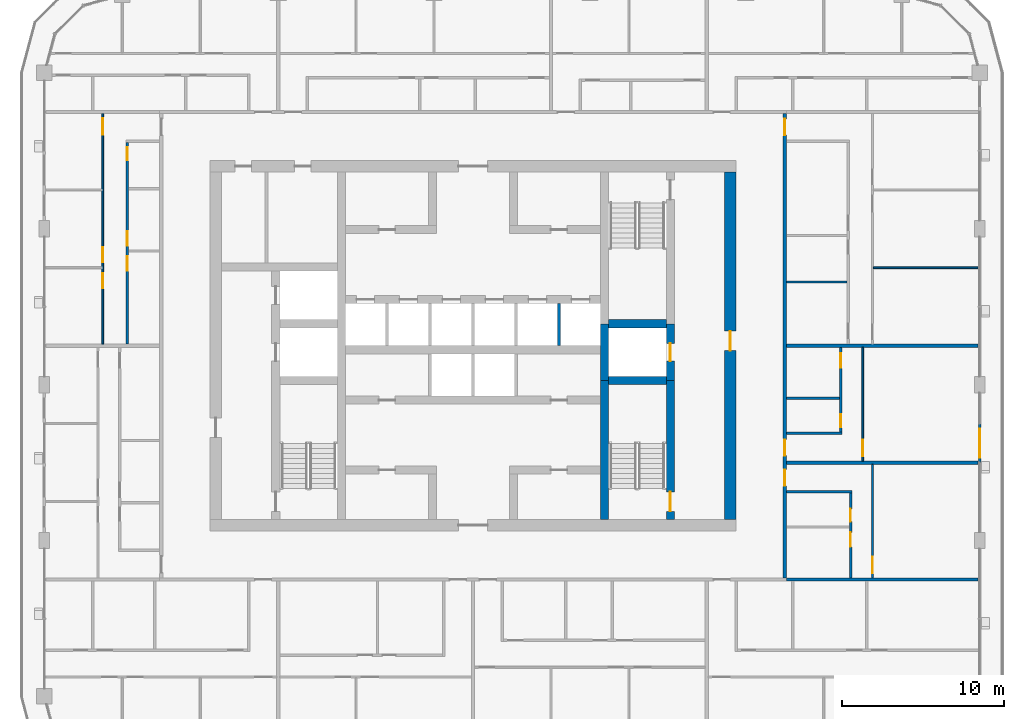
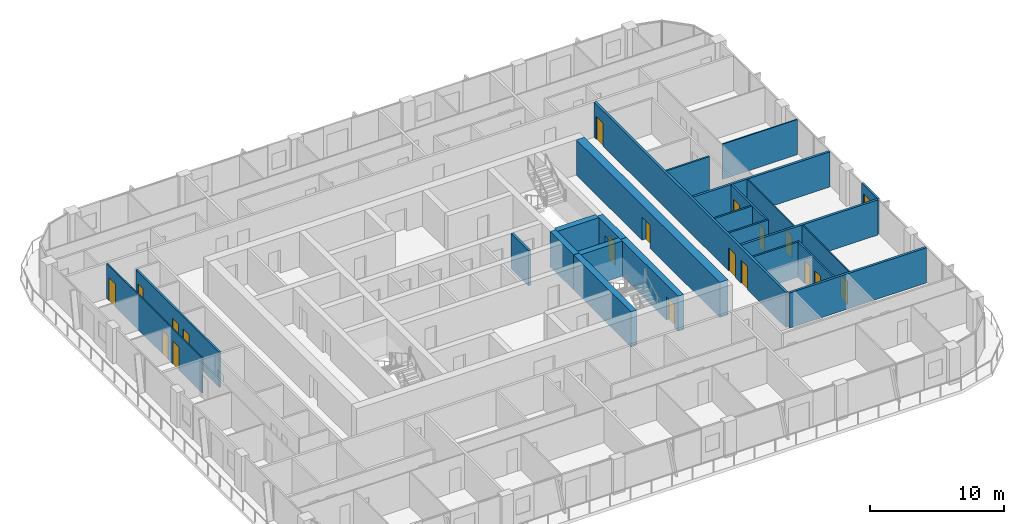
# One storey, part 12 of 21: 24 walls, 19 doors, 19 openings.
"""IFC4 building model written with IfcOpenShell, lengths in metres."""

import ifcopenshell
import ifcopenshell.guid

model = None  # the IFC model being written
_history = None  # IfcOwnerHistory: only IFC2X3 demands one
_inside = {}  # id of a spatial element -> (the spatial element, [elements in it])
_under = {}  # id of a project, library or spatial element -> (it, [spatial elements below it])
_declared = {}  # id of a project -> (the project, [libraries it declares])
_typed = {}  # id of a type object -> (the type object, [elements of that type])
_made_of = {}  # id of a material, layer set ... -> (it, [elements and type objects made of it])


def new_model(schema):
    """Start an empty IFC model of exactly this schema.

    Asked for "IFC4X3", IfcOpenShell would pick the latest addendum, in which some entities
    have other attributes; the version numbers below select the first issue.
    IFC2X3 requires an IfcOwnerHistory on every rooted entity: one is made here for all.
    """
    global model, _history
    if schema == "IFC4X3":
        model = ifcopenshell.file(schema_version=(4, 3, 0, 0))
    else:
        model = ifcopenshell.file(schema=schema)
    _inside.clear()
    _under.clear()
    _declared.clear()
    _typed.clear()
    _made_of.clear()
    _history = None
    if model.schema == "IFC2X3":
        org = make("IfcOrganization", Name="unknown")
        user = make(
            "IfcPersonAndOrganization",
            ThePerson=make("IfcPerson", FamilyName="unknown"),
            TheOrganization=org,
        )
        app = make(
            "IfcApplication",
            ApplicationDeveloper=org,
            Version="unknown",
            ApplicationFullName="unknown",
            ApplicationIdentifier="unknown",
        )
        _history = make(
            "IfcOwnerHistory",
            OwningUser=user,
            OwningApplication=app,
            ChangeAction="ADDED",
            CreationDate=0,
        )
    return model


def make(cls, **values):
    """One entity of the class cls with the attributes given. An attribute that is None is left unset."""
    return model.create_entity(
        cls, **{name: value for name, value in values.items() if value is not None}
    )


def rooted(cls, **values):
    """An entity with a GlobalId (a new one), such as an element, a storey or a relation."""
    return make(cls, GlobalId=ifcopenshell.guid.new(), OwnerHistory=_history, **values)


def si_unit(unit_type, name, prefix=None):
    """IfcSIUnit, for example si_unit("LENGTHUNIT", "METRE", prefix="MILLI")."""
    return make("IfcSIUnit", UnitType=unit_type, Prefix=prefix, Name=name)


def assignment(units):
    """IfcUnitAssignment: the units of a project."""
    return None if units is None else make("IfcUnitAssignment", Units=units)


def point(xyz):
    """IfcCartesianPoint."""
    return None if xyz is None else make("IfcCartesianPoint", Coordinates=xyz)


def direction(xyz):
    """IfcDirection."""
    return None if xyz is None else make("IfcDirection", DirectionRatios=xyz)


def frame(location, z_axis=None, x_axis=None):
    """IfcAxis2Placement3D, a coordinate frame: its origin and axes. An axis left out is left unset."""
    return make(
        "IfcAxis2Placement3D",
        Location=point(location),
        Axis=direction(z_axis),
        RefDirection=direction(x_axis),
    )


def frame_2d(location, x_axis=None):
    """IfcAxis2Placement2D, a coordinate frame in the plane: its origin and x axis."""
    return make(
        "IfcAxis2Placement2D", Location=point(location), RefDirection=direction(x_axis)
    )


def origin():
    """The frame at (0, 0, 0) with its axes left unset."""
    return frame((0.0, 0.0, 0.0))


def place(relative_to, where):
    """IfcLocalPlacement: puts the frame where relative to a parent placement (None: the world)."""
    return make(
        "IfcLocalPlacement", PlacementRelTo=relative_to, RelativePlacement=where
    )


def context(
    kind, dimensions, precision=None, world=None, true_north=None, identifier=None
):
    """IfcGeometricRepresentationContext, for example the 3D "Model" context."""
    return make(
        "IfcGeometricRepresentationContext",
        ContextIdentifier=identifier,
        ContextType=kind,
        CoordinateSpaceDimension=dimensions,
        Precision=precision,
        WorldCoordinateSystem=world,
        TrueNorth=true_north,
    )


def subcontext(parent, identifier, kind, view, scale=None):
    """IfcGeometricRepresentationSubContext, for example "Body" below "Model"."""
    return make(
        "IfcGeometricRepresentationSubContext",
        ContextIdentifier=identifier,
        ContextType=kind,
        ParentContext=parent,
        TargetScale=scale,
        TargetView=view,
    )


def project(units=None, contexts=None):
    """IfcProject with its units and contexts."""
    return rooted(
        "IfcProject",
        Name="project",
        RepresentationContexts=contexts,
        UnitsInContext=assignment(units),
    )


def spatial(cls, under=None, at=None, **own):
    """A site, building, storey or space (cls), placed at a placement, below another one or the project."""
    s = rooted(cls, ObjectPlacement=at, **own)
    if under is not None:
        _under.setdefault(under.id(), (under, []))[1].append(s)
    return s


def profile(cls, at=None, kind="AREA", **sizes):
    """A parametric profile (cls). Its sizes go by their IFC names, for example OverallWidth=200.0."""
    return make(cls, ProfileType=kind, Position=at, **sizes)


def rectangle(**sizes):
    """IfcRectangleProfileDef."""
    return profile("IfcRectangleProfileDef", **sizes)


def extrude(swept, where, along, depth):
    """IfcExtrudedAreaSolid: the profile swept, set in the frame where, extruded along a direction by depth."""
    return make(
        "IfcExtrudedAreaSolid",
        SweptArea=swept,
        Position=where,
        ExtrudedDirection=direction(along),
        Depth=depth,
    )


def shape(context_of_items, identifier, shape_type, items):
    """IfcShapeRepresentation: the items that make up one representation, for example the "Body"."""
    return make(
        "IfcShapeRepresentation",
        ContextOfItems=context_of_items,
        RepresentationIdentifier=identifier,
        RepresentationType=shape_type,
        Items=items,
    )


def material(Name=None, Category=None):
    """IfcMaterial."""
    return make("IfcMaterial", Name=Name, Category=Category)


def layer(
    of_material, thickness, ventilated=None, Name=None, Category=None, Priority=None
):
    """IfcMaterialLayer: one layer of a wall or slab, of a material (None: an air gap)."""
    return make(
        "IfcMaterialLayer",
        Material=of_material,
        LayerThickness=thickness,
        IsVentilated=ventilated,
        Name=Name,
        Category=Category,
        Priority=Priority,
    )


def layer_set(layers, Name=None):
    """IfcMaterialLayerSet."""
    return make("IfcMaterialLayerSet", MaterialLayers=layers, LayerSetName=Name)


def made_of(thing, what):
    """Note that an element or type object is made of a material, layer set ...; save() writes the relation."""
    if what is not None:
        _made_of.setdefault(what.id(), (what, []))[1].append(thing)
    return thing


def type_object(cls, material=None, **own):
    """A type object (cls), such as IfcWallType, which elements share."""
    return made_of(rooted(cls, **own), material)


def element(
    cls,
    number,
    at=None,
    inside=None,
    cuts=None,
    type_object=None,
    material=None,
    context=None,
    identifier="Body",
    shape_type=None,
    held_by="IfcProductDefinitionShape",
    body=None,
    shapes=None,
    **own,
):
    """One element of the class cls, such as IfcWall. Its Tag is "e" and its number.

    at: its placement. inside: the storey or other place that contains it. cuts: it is an
    opening in that element (IfcRelVoidsElement). A single representation is given by context,
    identifier, shape_type and body (its items); several are given by shapes. held_by: the class
    of the entity that holds the representations. save() writes the other relations.
    """
    e = rooted(cls, Tag="e%d" % number, ObjectPlacement=at, **own)
    if body is not None:
        shapes = [shape(context, identifier, shape_type, body)]
    if shapes is not None:
        e.Representation = make(held_by, Representations=shapes)
    if inside is not None:
        _inside.setdefault(inside.id(), (inside, []))[1].append(e)
    if cuts is not None:
        rooted(
            "IfcRelVoidsElement", RelatingBuildingElement=cuts, RelatedOpeningElement=e
        )
    if type_object is not None:
        _typed.setdefault(type_object.id(), (type_object, []))[1].append(e)
    return made_of(e, material)


def fill(opening, filler):
    """IfcRelFillsElement: the door or window that sits in an opening."""
    return rooted(
        "IfcRelFillsElement",
        RelatingOpeningElement=opening,
        RelatedBuildingElement=filler,
    )


def aggregate(whole, parts):
    """IfcRelAggregates: a whole, such as a stair, and the parts it consists of."""
    return rooted("IfcRelAggregates", RelatingObject=whole, RelatedObjects=parts)


def save(model, path):
    """Write the relations noted so far, then the file.

    IfcRelAggregates (storeys below a building ...), IfcRelContainedInSpatialStructure (elements
    in a storey), IfcRelDefinesByType, IfcRelAssociatesMaterial and IfcRelDeclares: one each for
    every whole, place, type object, material and project.
    """
    for whole, parts in _under.values():
        aggregate(whole, parts)
    for where, things in _inside.values():
        rooted(
            "IfcRelContainedInSpatialStructure",
            RelatedElements=things,
            RelatingStructure=where,
        )
    for kind, things in _typed.values():
        rooted("IfcRelDefinesByType", RelatedObjects=things, RelatingType=kind)
    for what, things in _made_of.values():
        rooted("IfcRelAssociatesMaterial", RelatedObjects=things, RelatingMaterial=what)
    for by, libraries in _declared.values():
        rooted("IfcRelDeclares", RelatingContext=by, RelatedDefinitions=libraries)
    model.write(path)


model = new_model("IFC4")

# Units and contexts
model_context = context("Model", 3, precision=1e-05, world=origin(), true_north=direction((0.0, 1.0)))
body_context = subcontext(model_context, "Body", "Model", "MODEL_VIEW")
ifc_project = project(units=[si_unit("LENGTHUNIT", "METRE"), si_unit("AREAUNIT", "SQUARE_METRE"), si_unit("VOLUMEUNIT", "CUBIC_METRE"), si_unit("PLANEANGLEUNIT", "RADIAN"), si_unit("MASSUNIT", "GRAM", prefix="KILO")], contexts=[model_context])

# Site, building, storey
site_placement = place(None, origin())
site = spatial("IfcSite", under=ifc_project, at=site_placement, CompositionType="ELEMENT")
building_placement = place(site_placement, origin())
building = spatial("IfcBuilding", under=site, at=building_placement, Name="Madar Terraces", CompositionType="ELEMENT")
storey_placement = place(building_placement, frame((0.0, 0.0, 196.39990234375)))
storey = spatial("IfcBuildingStorey", under=building, at=storey_placement, Name="L51", CompositionType="ELEMENT", Elevation=196.39990234375)

# Walls
ifc_material_1 = material(Name="Concrete C60/75", Category="concrete")
ifc_layer_1 = layer(ifc_material_1, 0.5)
ifc_layer_set_1 = layer_set([ifc_layer_1], Name="Concrete C60/75 (CIW4 RC wall 500)")
wall_type_1 = type_object("IfcWallType", Name="CIW4 RC wall 500", PredefinedType="SHEAR", material=ifc_layer_set_1)
wall_1_placement = place(storey_placement, frame((39.300048828125, 15.699951171875, 0.0), z_axis=(0.0, 0.0, 1.0), x_axis=(0.0, 1.0, 0.0)))
element("IfcWall", 1, at=wall_1_placement, inside=storey, type_object=wall_type_1, Name="CORE SHAFT WALL", PredefinedType="SHEAR", context=body_context, shape_type="SweptSolid", body=[
    extrude(rectangle(XDim=8.550048828125, YDim=0.5, at=frame_2d((4.27490234375, 0.0))), origin(), (0.0, 0.0, 1.0), 3.2001953125),
])
wall_2_placement = place(storey_placement, frame((39.300048828125, 24.25, 0.0), z_axis=(0.0, 0.0, 1.0), x_axis=(0.0, 1.0, 0.0)))
element("IfcWall", 2, at=wall_2_placement, inside=storey, type_object=wall_type_1, Name="CORE SHAFT WALL", PredefinedType="SHEAR", context=body_context, shape_type="SweptSolid", body=[
    extrude(rectangle(XDim=3.5, YDim=0.5, at=frame_2d((1.75, 0.0))), origin(), (0.0, 0.0, 1.0), 3.2001953125),
])

# Wall, opening, door
wall_3_placement = place(storey_placement, frame((43.35009765625, 15.699951171875, 0.0), z_axis=(0.0, 0.0, 1.0), x_axis=(0.0, 1.0, 0.0)))
wall_3 = element("IfcWall", 3, at=wall_3_placement, inside=storey, type_object=wall_type_1, Name="CORE SHAFT WALL", PredefinedType="SHEAR", context=body_context, shape_type="SweptSolid", body=[
    extrude(rectangle(XDim=8.550048828125, YDim=0.5, at=frame_2d((4.27490234375, 0.0))), origin(), (0.0, 0.0, 1.0), 3.2001953125),
])
opening_1_placement = place(wall_3_placement, frame((0.5, 0.0, 0.0)))
opening_1 = element("IfcOpeningElement", 4, at=opening_1_placement, cuts=wall_3, Name="Opening SD1", PredefinedType="OPENING", context=body_context, shape_type="SweptSolid", body=[
    extrude(rectangle(XDim=1.199951171875, YDim=2.10009765625, at=frame_2d((0.60009765625, 1.050048828125))), frame((0.0, 0.260009765625, 0.0), z_axis=(0.0, -1.0, 0.0), x_axis=(1.0, 0.0, 0.0)), (0.0, 0.0, 1.0), 0.52001953125),
])
ifc_material_2 = material(Name="Steel door leaf", Category="steel")
door_type_1 = type_object("IfcDoorType", Name="Stair door 1200 x 2100", OperationType="NOTDEFINED", PredefinedType="DOOR", material=ifc_material_2)
door_1_placement = place(opening_1_placement, origin())
door_1 = element("IfcDoor", 5, at=door_1_placement, inside=storey, type_object=door_type_1, Name="STAIR DOOR", OperationType="SINGLE_SWING_RIGHT", OverallHeight=2.10009765625, OverallWidth=1.199951171875, PredefinedType="DOOR", context=body_context, shape_type="SweptSolid", body=[
    extrude(rectangle(XDim=1.199951171875, YDim=2.10009765625, at=frame_2d((0.60009765625, 1.050048828125))), frame((0.0, 0.02490234375, 0.0), z_axis=(0.0, -1.0, 0.0), x_axis=(1.0, 0.0, 0.0)), (0.0, 0.0, 1.0), 0.050048828125),
])
fill(opening_1, door_1)

wall_4_placement = place(storey_placement, frame((43.35009765625, 24.25, 0.0), z_axis=(0.0, 0.0, 1.0), x_axis=(0.0, 1.0, 0.0)))
wall_4 = element("IfcWall", 6, at=wall_4_placement, inside=storey, type_object=wall_type_1, Name="CORE SHAFT WALL", PredefinedType="SHEAR", context=body_context, shape_type="SweptSolid", body=[
    extrude(rectangle(XDim=3.5, YDim=0.5, at=frame_2d((1.75, 0.0))), origin(), (0.0, 0.0, 1.0), 3.2001953125),
])
opening_2_placement = place(wall_4_placement, frame((1.199951171875, 0.0, 0.0)))
opening_2 = element("IfcOpeningElement", 7, at=opening_2_placement, cuts=wall_4, Name="Opening LD", PredefinedType="OPENING", context=body_context, shape_type="SweptSolid", body=[
    extrude(rectangle(XDim=1.10009765625, YDim=2.10009765625, at=frame_2d((0.550048828125, 1.050048828125))), frame((0.0, 0.260009765625, 0.0), z_axis=(0.0, -1.0, 0.0), x_axis=(1.0, 0.0, 0.0)), (0.0, 0.0, 1.0), 0.52001953125),
])
ifc_material_3 = material(Name="Stainless steel panel", Category="steel")
door_type_2 = type_object("IfcDoorType", Name="Lift landing door 1100 x 2100", OperationType="DOUBLE_DOOR_SLIDING", PredefinedType="DOOR", material=ifc_material_3)
door_2_placement = place(opening_2_placement, origin())
door_2 = element("IfcDoor", 8, at=door_2_placement, inside=storey, type_object=door_type_2, Name="LIFT LANDING DOOR", OperationType="DOUBLE_DOOR_SLIDING", OverallHeight=2.10009765625, OverallWidth=1.10009765625, PredefinedType="DOOR", context=body_context, shape_type="SweptSolid", body=[
    extrude(rectangle(XDim=1.10009765625, YDim=2.10009765625, at=frame_2d((0.550048828125, 1.050048828125))), frame((0.0, 0.02490234375, 0.0), z_axis=(0.0, -1.0, 0.0), x_axis=(1.0, 0.0, 0.0)), (0.0, 0.0, 1.0), 0.050048828125),
])
fill(opening_2, door_2)

# Walls
for number, where, z_axis, x_axis, name in (
    (9, (39.550048828125, 24.25, 0.0), (0.0, 0.0, 1.0), (1.0, 0.0, 0.0), "CORE SHAFT WALL"),
    (10, (39.550048828125, 27.75, 0.0), (0.0, 0.0, 1.0), (1.0, 0.0, 0.0), "CORE SHAFT WALL"),
):
    element("IfcWall", number, at=place(storey_placement, frame(where, z_axis=z_axis, x_axis=x_axis)), inside=storey, type_object=wall_type_1, Name=name, PredefinedType="SHEAR", context=body_context, shape_type="SweptSolid", body=[
        extrude(rectangle(XDim=3.550048828125, YDim=0.5, at=frame_2d((1.77490234375, 0.0))), origin(), (0.0, 0.0, 1.0), 3.2001953125),
    ])

# Wall, opening, door
ifc_material_4 = material(Name="Concrete C60/75", Category="concrete")
ifc_layer_2 = layer(ifc_material_4, 0.699951171875)
ifc_layer_set_2 = layer_set([ifc_layer_2], Name="Concrete C60/75 (CRW4 RC wall 700)")
wall_type_2 = type_object("IfcWallType", Name="CRW4 RC wall 700", PredefinedType="SHEAR", material=ifc_layer_set_2)
wall_5_placement = place(storey_placement, frame((47.050048828125, 15.699951171875, 0.0), z_axis=(0.0, 0.0, 1.0), x_axis=(0.0, 1.0, 0.0)))
wall_5 = element("IfcWall", 11, at=wall_5_placement, inside=storey, type_object=wall_type_2, Name="CORE OUTER WALL", PredefinedType="SHEAR", context=body_context, shape_type="SweptSolid", body=[
    extrude(rectangle(XDim=21.400146484375, YDim=0.699951171875, at=frame_2d((10.7001953125, 0.0))), origin(), (0.0, 0.0, 1.0), 3.2001953125),
])
opening_3_placement = place(wall_5_placement, frame((10.39990234375, 0.0, 0.0)))
opening_3 = element("IfcOpeningElement", 12, at=opening_3_placement, cuts=wall_5, Name="Opening SD1", PredefinedType="OPENING", context=body_context, shape_type="SweptSolid", body=[
    extrude(rectangle(XDim=1.199951171875, YDim=2.10009765625, at=frame_2d((0.60009765625, 1.050048828125))), frame((0.0, 0.35986328125, 0.0), z_axis=(0.0, -1.0, 0.0), x_axis=(1.0, 0.0, 0.0)), (0.0, 0.0, 1.0), 0.719970703125),
])
door_3_placement = place(opening_3_placement, origin())
door_3 = element("IfcDoor", 13, at=door_3_placement, inside=storey, type_object=door_type_1, Name="STAIR DOOR", OperationType="SINGLE_SWING_LEFT", OverallHeight=2.10009765625, OverallWidth=1.199951171875, PredefinedType="DOOR", context=body_context, shape_type="SweptSolid", body=[
    extrude(rectangle(XDim=1.199951171875, YDim=2.10009765625, at=frame_2d((0.60009765625, 1.050048828125))), frame((0.0, 0.02490234375, 0.0), z_axis=(0.0, -1.0, 0.0), x_axis=(1.0, 0.0, 0.0)), (0.0, 0.0, 1.0), 0.050048828125),
])
fill(opening_3, door_3)

# Wall
ifc_material_5 = material(Name="Concrete C40/50", Category="concrete")
ifc_layer_3 = layer(ifc_material_5, 0.199951171875)
ifc_layer_set_3 = layer_set([ifc_layer_3], Name="Core shaft dividing wall 200 C40/50")
wall_type_3 = type_object("IfcWallType", Name="Core shaft dividing wall 200 C40/50", PredefinedType="SOLIDWALL", material=ifc_layer_set_3)
wall_6_placement = place(storey_placement, frame((36.5, 26.39990234375, 0.0), z_axis=(0.0, 0.0, 1.0), x_axis=(0.0, 1.0, 0.0)))
element("IfcWall", 14, at=wall_6_placement, inside=storey, type_object=wall_type_3, Name="SHAFT DIVIDING WALL", PredefinedType="SOLIDWALL", context=body_context, shape_type="SweptSolid", body=[
    extrude(rectangle(XDim=2.60009765625, YDim=0.199951171875, at=frame_2d((1.300048828125, 0.0))), origin(), (0.0, 0.0, 1.0), 3.2001953125),
])

# Wall, opening, door
ifc_material_6 = material(Name="Aluminium composite panel, black, over insulated backing", Category="aluminium")
ifc_layer_4 = layer(ifc_material_6, 0.14990234375)
ifc_layer_set_4 = layer_set([ifc_layer_4], Name="Facade bay panel 150")
wall_type_4 = type_object("IfcWallType", Name="Facade bay panel 150", PredefinedType="SOLIDWALL", material=ifc_layer_set_4)
wall_7_placement = place(storey_placement, frame((62.39990234375, 19.199951171875, 0.0), z_axis=(0.0, 0.0, 1.0), x_axis=(0.0, 1.0, 0.0)))
wall_7 = element("IfcWall", 15, at=wall_7_placement, inside=storey, type_object=wall_type_4, Name="Facade bay panel", PredefinedType="SOLIDWALL", context=body_context, shape_type="SweptSolid", body=[
    extrude(rectangle(XDim=2.400146484375, YDim=0.14990234375, at=frame_2d((1.2001953125, 0.0))), origin(), (0.0, 0.0, 1.0), 3.2001953125),
])
opening_4_placement = place(wall_7_placement, frame((0.300048828125, 0.0, 0.0)))
opening_4 = element("IfcOpeningElement", 16, at=opening_4_placement, cuts=wall_7, Name="Opening ED1", PredefinedType="OPENING", context=body_context, shape_type="SweptSolid", body=[
    extrude(rectangle(XDim=1.800048828125, YDim=2.39990234375, at=frame_2d((0.89990234375, 1.199951171875))), frame((0.0, 0.0849609375, 0.0), z_axis=(0.0, -1.0, 0.0), x_axis=(1.0, 0.0, 0.0)), (0.0, 0.0, 1.0), 0.169921875),
])
ifc_material_7 = material(Name="Glass, clear, with black aluminium frame", Category="aluminium")
door_type_3 = type_object("IfcDoorType", Name="Balcony and terrace sliding door 1800 x 2400", OperationType="SLIDING_TO_LEFT", PredefinedType="DOOR", material=ifc_material_7)
door_4_placement = place(opening_4_placement, origin())
door_4 = element("IfcDoor", 17, at=door_4_placement, inside=storey, type_object=door_type_3, Name="Balcony door", OperationType="SLIDING_TO_RIGHT", OverallHeight=2.39990234375, OverallWidth=1.800048828125, PredefinedType="DOOR", context=body_context, shape_type="SweptSolid", body=[
    extrude(rectangle(XDim=1.800048828125, YDim=2.39990234375, at=frame_2d((0.89990234375, 1.199951171875))), frame((0.0, 0.02490234375, 0.0), z_axis=(0.0, -1.0, 0.0), x_axis=(1.0, 0.0, 0.0)), (0.0, 0.0, 1.0), 0.050048828125),
])
fill(opening_4, door_4)

ifc_material_8 = material(Name="Gypsum board on steel studs", Category="steel")
ifc_layer_5 = layer(ifc_material_8, 0.10009765625)
ifc_layer_set_5 = layer_set([ifc_layer_5], Name="Flat partition 100")
wall_type_5 = type_object("IfcWallType", Name="Flat partition 100", PredefinedType="PARTITIONING", material=ifc_layer_set_5)
wall_8_placement = place(storey_placement, frame((55.800048828125, 19.10009765625, 0.0), z_axis=(0.0, 0.0, 1.0), x_axis=(0.0, -1.0, 0.0)))
wall_8 = element("IfcWall", 18, at=wall_8_placement, inside=storey, type_object=wall_type_5, Name="Flat partition 100", PredefinedType="PARTITIONING", context=body_context, shape_type="SweptSolid", body=[
    extrude(rectangle(XDim=7.0, YDim=0.10009765625, at=frame_2d((3.5, 0.0))), origin(), (0.0, 0.0, 1.0), 3.2001953125),
])
opening_5_placement = place(wall_8_placement, frame((5.699951171875, 0.0, 0.0)))
opening_5 = element("IfcOpeningElement", 19, at=opening_5_placement, cuts=wall_8, Name="Opening D3", PredefinedType="OPENING", context=body_context, shape_type="SweptSolid", body=[
    extrude(rectangle(XDim=1.0, YDim=2.10009765625, at=frame_2d((0.5, 1.050048828125))), frame((0.0, 0.06005859375, 0.0), z_axis=(0.0, -1.0, 0.0), x_axis=(1.0, 0.0, 0.0)), (0.0, 0.0, 1.0), 0.1201171875),
])
ifc_material_9 = material(Name="Timber door leaf", Category="wood")
door_type_4 = type_object("IfcDoorType", Name="Flat living room door 1000", OperationType="NOTDEFINED", PredefinedType="DOOR", material=ifc_material_9)
door_5_placement = place(opening_5_placement, origin())
door_5 = element("IfcDoor", 20, at=door_5_placement, inside=storey, type_object=door_type_4, Name="Flat living room door 1000", OperationType="SINGLE_SWING_RIGHT", OverallHeight=2.10009765625, OverallWidth=1.0, PredefinedType="DOOR", context=body_context, shape_type="SweptSolid", body=[
    extrude(rectangle(XDim=1.0, YDim=2.10009765625, at=frame_2d((0.5, 1.050048828125))), frame((0.0, 0.02490234375, 0.0), z_axis=(0.0, -1.0, 0.0), x_axis=(1.0, 0.0, 0.0)), (0.0, 0.0, 1.0), 0.050048828125),
])
fill(opening_5, door_5)

wall_9_placement = place(storey_placement, frame((55.199951171875, 26.300048828125, 0.0), z_axis=(0.0, 0.0, 1.0), x_axis=(0.0, -1.0, 0.0)))
wall_9 = element("IfcWall", 21, at=wall_9_placement, inside=storey, type_object=wall_type_5, Name="Flat partition 100", PredefinedType="PARTITIONING", context=body_context, shape_type="SweptSolid", body=[
    extrude(rectangle(XDim=7.0, YDim=0.10009765625, at=frame_2d((3.5, 0.0))), origin(), (0.0, 0.0, 1.0), 3.2001953125),
])
opening_6_placement = place(wall_9_placement, frame((5.699951171875, 0.0, 0.0)))
opening_6 = element("IfcOpeningElement", 22, at=opening_6_placement, cuts=wall_9, Name="Opening D3", PredefinedType="OPENING", context=body_context, shape_type="SweptSolid", body=[
    extrude(rectangle(XDim=1.0, YDim=2.10009765625, at=frame_2d((0.5, 1.050048828125))), frame((0.0, 0.06005859375, 0.0), z_axis=(0.0, -1.0, 0.0), x_axis=(1.0, 0.0, 0.0)), (0.0, 0.0, 1.0), 0.1201171875),
])
door_6_placement = place(opening_6_placement, origin())
door_6 = element("IfcDoor", 23, at=door_6_placement, inside=storey, type_object=door_type_4, Name="Flat living room door 1000", OperationType="SINGLE_SWING_RIGHT", OverallHeight=2.10009765625, OverallWidth=1.0, PredefinedType="DOOR", context=body_context, shape_type="SweptSolid", body=[
    extrude(rectangle(XDim=1.0, YDim=2.10009765625, at=frame_2d((0.5, 1.050048828125))), frame((0.0, 0.02490234375, 0.0), z_axis=(0.0, -1.0, 0.0), x_axis=(1.0, 0.0, 0.0)), (0.0, 0.0, 1.0), 0.050048828125),
])
fill(opening_6, door_6)

# Wall
wall_10_placement = place(storey_placement, frame((55.85009765625, 31.199951171875, 0.0), z_axis=(0.0, 0.0, 1.0), x_axis=(1.0, 0.0, 0.0)))
element("IfcWall", 24, at=wall_10_placement, inside=storey, type_object=wall_type_5, Name="Flat partition 100", PredefinedType="PARTITIONING", context=body_context, shape_type="SweptSolid", body=[
    extrude(rectangle(XDim=6.449951171875, YDim=0.10009765625, at=frame_2d((3.22509765625, 0.0))), origin(), (0.0, 0.0, 1.0), 3.2001953125),
])

# Wall, openings, doors
wall_11_placement = place(storey_placement, frame((8.39990234375, 26.5, 0.0), z_axis=(0.0, 0.0, 1.0), x_axis=(0.0, 1.0, 0.0)))
wall_11 = element("IfcWall", 25, at=wall_11_placement, inside=storey, type_object=wall_type_5, Name="Flat partition 100", PredefinedType="PARTITIONING", context=body_context, shape_type="SweptSolid", body=[
    extrude(rectangle(XDim=14.199951171875, YDim=0.10009765625, at=frame_2d((7.10009765625, 0.0))), origin(), (0.0, 0.0, 1.0), 3.2001953125),
])
opening_7_placement = place(wall_11_placement, frame((12.89990234375, 0.0, 0.0)))
opening_7 = element("IfcOpeningElement", 26, at=opening_7_placement, cuts=wall_11, Name="Opening D3", PredefinedType="OPENING", context=body_context, shape_type="SweptSolid", body=[
    extrude(rectangle(XDim=1.0, YDim=2.10009765625, at=frame_2d((0.5, 1.050048828125))), frame((0.0, 0.06005859375, 0.0), z_axis=(0.0, -1.0, 0.0), x_axis=(1.0, 0.0, 0.0)), (0.0, 0.0, 1.0), 0.1201171875),
])
opening_8_placement = place(wall_11_placement, frame((5.050048828125, 0.0, 0.0)))
opening_8 = element("IfcOpeningElement", 27, at=opening_8_placement, cuts=wall_11, Name="Opening D2", PredefinedType="OPENING", context=body_context, shape_type="SweptSolid", body=[
    extrude(rectangle(XDim=0.89990234375, YDim=2.10009765625, at=frame_2d((0.449951171875, 1.050048828125))), frame((0.0, 0.06005859375, 0.0), z_axis=(0.0, -1.0, 0.0), x_axis=(1.0, 0.0, 0.0)), (0.0, 0.0, 1.0), 0.1201171875),
])
opening_9_placement = place(wall_11_placement, frame((3.449951171875, 0.0, 0.0)))
opening_9 = element("IfcOpeningElement", 28, at=opening_9_placement, cuts=wall_11, Name="Opening D2", PredefinedType="OPENING", context=body_context, shape_type="SweptSolid", body=[
    extrude(rectangle(XDim=0.89990234375, YDim=2.10009765625, at=frame_2d((0.449951171875, 1.050048828125))), frame((0.0, 0.06005859375, 0.0), z_axis=(0.0, -1.0, 0.0), x_axis=(1.0, 0.0, 0.0)), (0.0, 0.0, 1.0), 0.1201171875),
])
door_7_placement = place(opening_7_placement, origin())
door_7 = element("IfcDoor", 29, at=door_7_placement, inside=storey, type_object=door_type_4, Name="Flat living room door 1000", OperationType="SINGLE_SWING_RIGHT", OverallHeight=2.10009765625, OverallWidth=1.0, PredefinedType="DOOR", context=body_context, shape_type="SweptSolid", body=[
    extrude(rectangle(XDim=1.0, YDim=2.10009765625, at=frame_2d((0.5, 1.050048828125))), frame((0.0, 0.02490234375, 0.0), z_axis=(0.0, -1.0, 0.0), x_axis=(1.0, 0.0, 0.0)), (0.0, 0.0, 1.0), 0.050048828125),
])
fill(opening_7, door_7)
ifc_material_10 = material(Name="Timber door leaf", Category="wood")
door_type_5 = type_object("IfcDoorType", Name="Flat room door 900", OperationType="NOTDEFINED", PredefinedType="DOOR", material=ifc_material_10)
door_8_placement = place(opening_8_placement, origin())
door_8 = element("IfcDoor", 30, at=door_8_placement, inside=storey, type_object=door_type_5, Name="Flat room door 900", OperationType="SINGLE_SWING_LEFT", OverallHeight=2.10009765625, OverallWidth=0.89990234375, PredefinedType="DOOR", context=body_context, shape_type="SweptSolid", body=[
    extrude(rectangle(XDim=0.89990234375, YDim=2.10009765625, at=frame_2d((0.449951171875, 1.050048828125))), frame((0.0, 0.02490234375, 0.0), z_axis=(0.0, -1.0, 0.0), x_axis=(1.0, 0.0, 0.0)), (0.0, 0.0, 1.0), 0.050048828125),
])
fill(opening_8, door_8)
door_9_placement = place(opening_9_placement, origin())
door_9 = element("IfcDoor", 31, at=door_9_placement, inside=storey, type_object=door_type_5, Name="Flat room door 900", OperationType="SINGLE_SWING_RIGHT", OverallHeight=2.10009765625, OverallWidth=0.89990234375, PredefinedType="DOOR", context=body_context, shape_type="SweptSolid", body=[
    extrude(rectangle(XDim=0.89990234375, YDim=2.10009765625, at=frame_2d((0.449951171875, 1.050048828125))), frame((0.0, 0.02490234375, 0.0), z_axis=(0.0, -1.0, 0.0), x_axis=(1.0, 0.0, 0.0)), (0.0, 0.0, 1.0), 0.050048828125),
])
fill(opening_9, door_9)

ifc_material_11 = material(Name="Lightweight blockwork", Category="masonry")
ifc_layer_6 = layer(ifc_material_11, 0.199951171875)
ifc_layer_set_6 = layer_set([ifc_layer_6], Name="Flat party and entrance wall 200")
wall_type_6 = type_object("IfcWallType", Name="Flat party and entrance wall 200", PredefinedType="PARTITIONING", material=ifc_layer_set_6)
wall_12_placement = place(storey_placement, frame((50.39990234375, 40.699951171875, 0.0), z_axis=(0.0, 0.0, 1.0), x_axis=(0.0, -1.0, 0.0)))
wall_12 = element("IfcWall", 32, at=wall_12_placement, inside=storey, type_object=wall_type_6, Name="Flat party and entrance wall 200", PredefinedType="PARTITIONING", context=body_context, shape_type="SweptSolid", body=[
    extrude(rectangle(XDim=28.599853515625, YDim=0.199951171875, at=frame_2d((14.2998046875, 0.0))), origin(), (0.0, 0.0, 1.0), 3.2001953125),
])
opening_10_placement = place(wall_12_placement, frame((21.925048828125, 0.0, 0.0)))
opening_10 = element("IfcOpeningElement", 33, at=opening_10_placement, cuts=wall_12, Name="Opening D1", PredefinedType="OPENING", context=body_context, shape_type="SweptSolid", body=[
    extrude(rectangle(XDim=1.0, YDim=2.10009765625, at=frame_2d((0.5, 1.050048828125))), frame((0.0, 0.10986328125, 0.0), z_axis=(0.0, -1.0, 0.0), x_axis=(1.0, 0.0, 0.0)), (0.0, 0.0, 1.0), 0.219970703125),
])
opening_11_placement = place(wall_12_placement, frame((20.074951171875, 0.0, 0.0)))
opening_11 = element("IfcOpeningElement", 34, at=opening_11_placement, cuts=wall_12, Name="Opening D1", PredefinedType="OPENING", context=body_context, shape_type="SweptSolid", body=[
    extrude(rectangle(XDim=1.0, YDim=2.10009765625, at=frame_2d((0.5, 1.050048828125))), frame((0.0, 0.10986328125, 0.0), z_axis=(0.0, -1.0, 0.0), x_axis=(1.0, 0.0, 0.0)), (0.0, 0.0, 1.0), 0.219970703125),
])
opening_12_placement = place(wall_12_placement, frame((0.324951171875, 0.0, 0.0)))
opening_12 = element("IfcOpeningElement", 35, at=opening_12_placement, cuts=wall_12, Name="Opening D1", PredefinedType="OPENING", context=body_context, shape_type="SweptSolid", body=[
    extrude(rectangle(XDim=1.0, YDim=2.10009765625, at=frame_2d((0.5, 1.050048828125))), frame((0.0, 0.10986328125, 0.0), z_axis=(0.0, -1.0, 0.0), x_axis=(1.0, 0.0, 0.0)), (0.0, 0.0, 1.0), 0.219970703125),
])
ifc_material_12 = material(Name="Timber fire door leaf", Category="wood")
door_type_6 = type_object("IfcDoorType", Name="Flat entrance door 1000 FD30S", OperationType="NOTDEFINED", PredefinedType="DOOR", material=ifc_material_12)
door_10_placement = place(opening_10_placement, origin())
door_10 = element("IfcDoor", 36, at=door_10_placement, inside=storey, type_object=door_type_6, Name="Flat entrance door 1000 FD30S", OperationType="SINGLE_SWING_LEFT", OverallHeight=2.10009765625, OverallWidth=1.0, PredefinedType="DOOR", context=body_context, shape_type="SweptSolid", body=[
    extrude(rectangle(XDim=1.0, YDim=2.10009765625, at=frame_2d((0.5, 1.050048828125))), frame((0.0, 0.02490234375, 0.0), z_axis=(0.0, -1.0, 0.0), x_axis=(1.0, 0.0, 0.0)), (0.0, 0.0, 1.0), 0.050048828125),
])
fill(opening_10, door_10)
door_11_placement = place(opening_11_placement, origin())
door_11 = element("IfcDoor", 37, at=door_11_placement, inside=storey, type_object=door_type_6, Name="Flat entrance door 1000 FD30S", OperationType="SINGLE_SWING_RIGHT", OverallHeight=2.10009765625, OverallWidth=1.0, PredefinedType="DOOR", context=body_context, shape_type="SweptSolid", body=[
    extrude(rectangle(XDim=1.0, YDim=2.10009765625, at=frame_2d((0.5, 1.050048828125))), frame((0.0, 0.02490234375, 0.0), z_axis=(0.0, -1.0, 0.0), x_axis=(1.0, 0.0, 0.0)), (0.0, 0.0, 1.0), 0.050048828125),
])
fill(opening_11, door_11)
door_12_placement = place(opening_12_placement, origin())
door_12 = element("IfcDoor", 38, at=door_12_placement, inside=storey, type_object=door_type_6, Name="Flat entrance door 1000 FD30S", OperationType="SINGLE_SWING_LEFT", OverallHeight=2.10009765625, OverallWidth=1.0, PredefinedType="DOOR", context=body_context, shape_type="SweptSolid", body=[
    extrude(rectangle(XDim=1.0, YDim=2.10009765625, at=frame_2d((0.5, 1.050048828125))), frame((0.0, 0.02490234375, 0.0), z_axis=(0.0, -1.0, 0.0), x_axis=(1.0, 0.0, 0.0)), (0.0, 0.0, 1.0), 0.050048828125),
])
fill(opening_12, door_12)

# Walls
for number, where, z_axis, x_axis, name in (
    (39, (50.5, 12.0, 0.0), (0.0, 0.0, 1.0), (1.0, 0.0, 0.0), "Flat party and entrance wall 200"),
    (40, (50.5, 19.199951171875, 0.0), (0.0, 0.0, 1.0), (1.0, 0.0, 0.0), "Flat party and entrance wall 200"),
    (41, (50.5, 26.39990234375, 0.0), (0.0, 0.0, 1.0), (1.0, 0.0, 0.0), "Flat party and entrance wall 200"),
):
    element("IfcWall", number, at=place(storey_placement, frame(where, z_axis=z_axis, x_axis=x_axis)), inside=storey, type_object=wall_type_6, Name=name, PredefinedType="PARTITIONING", context=body_context, shape_type="SweptSolid", body=[
        extrude(rectangle(XDim=11.800048828125, YDim=0.199951171875, at=frame_2d((5.89990234375, 0.0))), origin(), (0.0, 0.0, 1.0), 3.2001953125),
    ])
ifc_material_13 = material(Name="Lightweight blockwork", Category="masonry")
ifc_layer_7 = layer(ifc_material_13, 0.14990234375)
ifc_layer_set_7 = layer_set([ifc_layer_7], Name="Flat wet-room partition 150")
wall_type_7 = type_object("IfcWallType", Name="Flat wet-room partition 150", PredefinedType="PARTITIONING", material=ifc_layer_set_7)
wall_13_placement = place(storey_placement, frame((50.5, 17.39990234375, 0.0), z_axis=(0.0, 0.0, 1.0), x_axis=(1.0, 0.0, 0.0)))
element("IfcWall", 42, at=wall_13_placement, inside=storey, type_object=wall_type_7, Name="Flat wet-room partition 150", PredefinedType="PARTITIONING", context=body_context, shape_type="SweptSolid", body=[
    extrude(rectangle(XDim=4.02490234375, YDim=0.14990234375, at=frame_2d((2.012451171875, 0.0))), origin(), (0.0, 0.0, 1.0), 3.2001953125),
])

# Wall, openings, doors
wall_14_placement = place(storey_placement, frame((54.449951171875, 12.10009765625, 0.0), z_axis=(0.0, 0.0, 1.0), x_axis=(0.0, 1.0, 0.0)))
wall_14 = element("IfcWall", 43, at=wall_14_placement, inside=storey, type_object=wall_type_7, Name="Flat wet-room partition 150", PredefinedType="PARTITIONING", context=body_context, shape_type="SweptSolid", body=[
    extrude(rectangle(XDim=5.224853515625, YDim=0.14990234375, at=frame_2d((2.6123046875, 0.0))), origin(), (0.0, 0.0, 1.0), 3.2001953125),
])
opening_13_placement = place(wall_14_placement, frame((3.4599609375, 0.0, 0.0)))
opening_13 = element("IfcOpeningElement", 44, at=opening_13_placement, cuts=wall_14, Name="Opening D4", PredefinedType="OPENING", context=body_context, shape_type="SweptSolid", body=[
    extrude(rectangle(XDim=0.800048828125, YDim=2.10009765625, at=frame_2d((0.39990234375, 1.050048828125))), frame((0.0, 0.0849609375, 0.0), z_axis=(0.0, -1.0, 0.0), x_axis=(1.0, 0.0, 0.0)), (0.0, 0.0, 1.0), 0.169921875),
])
opening_14_placement = place(wall_14_placement, frame((1.909912109375, 0.0, 0.0)))
opening_14 = element("IfcOpeningElement", 45, at=opening_14_placement, cuts=wall_14, Name="Opening D2", PredefinedType="OPENING", context=body_context, shape_type="SweptSolid", body=[
    extrude(rectangle(XDim=0.89990234375, YDim=2.10009765625, at=frame_2d((0.449951171875, 1.050048828125))), frame((0.0, 0.0849609375, 0.0), z_axis=(0.0, -1.0, 0.0), x_axis=(1.0, 0.0, 0.0)), (0.0, 0.0, 1.0), 0.169921875),
])
ifc_material_14 = material(Name="Timber door leaf", Category="wood")
door_type_7 = type_object("IfcDoorType", Name="Flat bathroom door 800", OperationType="NOTDEFINED", PredefinedType="DOOR", material=ifc_material_14)
door_13_placement = place(opening_13_placement, origin())
door_13 = element("IfcDoor", 46, at=door_13_placement, inside=storey, type_object=door_type_7, Name="Flat bathroom door 800", OperationType="SINGLE_SWING_LEFT", OverallHeight=2.10009765625, OverallWidth=0.800048828125, PredefinedType="DOOR", context=body_context, shape_type="SweptSolid", body=[
    extrude(rectangle(XDim=0.800048828125, YDim=2.10009765625, at=frame_2d((0.39990234375, 1.050048828125))), frame((0.0, 0.02490234375, 0.0), z_axis=(0.0, -1.0, 0.0), x_axis=(1.0, 0.0, 0.0)), (0.0, 0.0, 1.0), 0.050048828125),
])
fill(opening_13, door_13)
door_14_placement = place(opening_14_placement, origin())
door_14 = element("IfcDoor", 47, at=door_14_placement, inside=storey, type_object=door_type_5, Name="Flat room door 900", OperationType="SINGLE_SWING_RIGHT", OverallHeight=2.10009765625, OverallWidth=0.89990234375, PredefinedType="DOOR", context=body_context, shape_type="SweptSolid", body=[
    extrude(rectangle(XDim=0.89990234375, YDim=2.10009765625, at=frame_2d((0.449951171875, 1.050048828125))), frame((0.0, 0.02490234375, 0.0), z_axis=(0.0, -1.0, 0.0), x_axis=(1.0, 0.0, 0.0)), (0.0, 0.0, 1.0), 0.050048828125),
])
fill(opening_14, door_14)

# Walls
wall_15_placement = place(storey_placement, frame((50.5, 23.1650390625, 0.0), z_axis=(0.0, 0.0, 1.0), x_axis=(1.0, 0.0, 0.0)))
element("IfcWall", 48, at=wall_15_placement, inside=storey, type_object=wall_type_7, Name="Flat wet-room partition 150", PredefinedType="PARTITIONING", context=body_context, shape_type="SweptSolid", body=[
    extrude(rectangle(XDim=3.27490234375, YDim=0.14990234375, at=frame_2d((1.637451171875, 0.0))), origin(), (0.0, 0.0, 1.0), 3.2001953125),
])
wall_16_placement = place(storey_placement, frame((50.5, 21.0, 0.0), z_axis=(0.0, 0.0, 1.0), x_axis=(1.0, 0.0, 0.0)))
element("IfcWall", 49, at=wall_16_placement, inside=storey, type_object=wall_type_7, Name="Flat wet-room partition 150", PredefinedType="PARTITIONING", context=body_context, shape_type="SweptSolid", body=[
    extrude(rectangle(XDim=3.425048828125, YDim=0.14990234375, at=frame_2d((1.71240234375, 0.0))), origin(), (0.0, 0.0, 1.0), 3.2001953125),
])

# Wall, openings, doors
wall_17_placement = place(storey_placement, frame((53.85009765625, 21.074951171875, 0.0), z_axis=(0.0, 0.0, 1.0), x_axis=(0.0, 1.0, 0.0)))
wall_17 = element("IfcWall", 50, at=wall_17_placement, inside=storey, type_object=wall_type_7, Name="Flat wet-room partition 150", PredefinedType="PARTITIONING", context=body_context, shape_type="SweptSolid", body=[
    extrude(rectangle(XDim=5.22509765625, YDim=0.14990234375, at=frame_2d((2.612548828125, 0.0))), origin(), (0.0, 0.0, 1.0), 3.2001953125),
])
opening_15_placement = place(wall_17_placement, frame((0.300048828125, 0.0, 0.0)))
opening_15 = element("IfcOpeningElement", 51, at=opening_15_placement, cuts=wall_17, Name="Opening D4", PredefinedType="OPENING", context=body_context, shape_type="SweptSolid", body=[
    extrude(rectangle(XDim=0.800048828125, YDim=2.10009765625, at=frame_2d((0.39990234375, 1.050048828125))), frame((0.0, 0.0849609375, 0.0), z_axis=(0.0, -1.0, 0.0), x_axis=(1.0, 0.0, 0.0)), (0.0, 0.0, 1.0), 0.169921875),
])
opening_16_placement = place(wall_17_placement, frame((3.97509765625, 0.0, 0.0)))
opening_16 = element("IfcOpeningElement", 52, at=opening_16_placement, cuts=wall_17, Name="Opening D2", PredefinedType="OPENING", context=body_context, shape_type="SweptSolid", body=[
    extrude(rectangle(XDim=0.89990234375, YDim=2.10009765625, at=frame_2d((0.449951171875, 1.050048828125))), frame((0.0, 0.0849609375, 0.0), z_axis=(0.0, -1.0, 0.0), x_axis=(1.0, 0.0, 0.0)), (0.0, 0.0, 1.0), 0.169921875),
])
door_15_placement = place(opening_15_placement, origin())
door_15 = element("IfcDoor", 53, at=door_15_placement, inside=storey, type_object=door_type_7, Name="Flat bathroom door 800", OperationType="SINGLE_SWING_LEFT", OverallHeight=2.10009765625, OverallWidth=0.800048828125, PredefinedType="DOOR", context=body_context, shape_type="SweptSolid", body=[
    extrude(rectangle(XDim=0.800048828125, YDim=2.10009765625, at=frame_2d((0.39990234375, 1.050048828125))), frame((0.0, 0.02490234375, 0.0), z_axis=(0.0, -1.0, 0.0), x_axis=(1.0, 0.0, 0.0)), (0.0, 0.0, 1.0), 0.050048828125),
])
fill(opening_15, door_15)
door_16_placement = place(opening_16_placement, origin())
door_16 = element("IfcDoor", 54, at=door_16_placement, inside=storey, type_object=door_type_5, Name="Flat room door 900", OperationType="SINGLE_SWING_RIGHT", OverallHeight=2.10009765625, OverallWidth=0.89990234375, PredefinedType="DOOR", context=body_context, shape_type="SweptSolid", body=[
    extrude(rectangle(XDim=0.89990234375, YDim=2.10009765625, at=frame_2d((0.449951171875, 1.050048828125))), frame((0.0, 0.02490234375, 0.0), z_axis=(0.0, -1.0, 0.0), x_axis=(1.0, 0.0, 0.0)), (0.0, 0.0, 1.0), 0.050048828125),
])
fill(opening_16, door_16)

# Wall
wall_18_placement = place(storey_placement, frame((50.5, 30.322998046875, 0.0), z_axis=(0.0, 0.0, 1.0), x_axis=(1.0, 0.0, 0.0)))
element("IfcWall", 55, at=wall_18_placement, inside=storey, type_object=wall_type_7, Name="Flat wet-room partition 150", PredefinedType="PARTITIONING", context=body_context, shape_type="SweptSolid", body=[
    extrude(rectangle(XDim=3.72509765625, YDim=0.14990234375, at=frame_2d((1.862548828125, 0.0))), origin(), (0.0, 0.0, 1.0), 3.2001953125),
])

# Wall, openings, doors
wall_19_placement = place(storey_placement, frame((9.89990234375, 38.925048828125, 0.0), z_axis=(0.0, 0.0, 1.0), x_axis=(0.0, -1.0, 0.0)))
wall_19 = element("IfcWall", 56, at=wall_19_placement, inside=storey, type_object=wall_type_7, Name="Flat wet-room partition 150", PredefinedType="PARTITIONING", context=body_context, shape_type="SweptSolid", body=[
    extrude(rectangle(XDim=12.425048828125, YDim=0.14990234375, at=frame_2d((6.21240234375, 0.0))), origin(), (0.0, 0.0, 1.0), 3.2001953125),
])
opening_17_placement = place(wall_19_placement, frame((0.300048828125, 0.0, 0.0)))
opening_17 = element("IfcOpeningElement", 57, at=opening_17_placement, cuts=wall_19, Name="Opening D4", PredefinedType="OPENING", context=body_context, shape_type="SweptSolid", body=[
    extrude(rectangle(XDim=0.800048828125, YDim=2.10009765625, at=frame_2d((0.39990234375, 1.050048828125))), frame((0.0, 0.0849609375, 0.0), z_axis=(0.0, -1.0, 0.0), x_axis=(1.0, 0.0, 0.0)), (0.0, 0.0, 1.0), 0.169921875),
])
opening_18_placement = place(wall_19_placement, frame((5.46533203125, 0.0, 0.0)))
opening_18 = element("IfcOpeningElement", 58, at=opening_18_placement, cuts=wall_19, Name="Opening D5", PredefinedType="OPENING", context=body_context, shape_type="SweptSolid", body=[
    extrude(rectangle(XDim=0.89990234375, YDim=2.10009765625, at=frame_2d((0.449951171875, 1.050048828125))), frame((0.0, 0.0849609375, 0.0), z_axis=(0.0, -1.0, 0.0), x_axis=(1.0, 0.0, 0.0)), (0.0, 0.0, 1.0), 0.169921875),
])
opening_19_placement = place(wall_19_placement, frame((7.015380859375, 0.0, 0.0)))
opening_19 = element("IfcOpeningElement", 59, at=opening_19_placement, cuts=wall_19, Name="Opening D2", PredefinedType="OPENING", context=body_context, shape_type="SweptSolid", body=[
    extrude(rectangle(XDim=0.89990234375, YDim=2.10009765625, at=frame_2d((0.449951171875, 1.050048828125))), frame((0.0, 0.0849609375, 0.0), z_axis=(0.0, -1.0, 0.0), x_axis=(1.0, 0.0, 0.0)), (0.0, 0.0, 1.0), 0.169921875),
])
ifc_material_15 = material(Name="Timber door leaf", Category="wood")
door_type_8 = type_object("IfcDoorType", Name="Flat accessible bathroom door 900", OperationType="NOTDEFINED", PredefinedType="DOOR", material=ifc_material_15)
door_17_placement = place(opening_18_placement, origin())
door_17 = element("IfcDoor", 60, at=door_17_placement, inside=storey, type_object=door_type_8, Name="Flat accessible bathroom door 900", OperationType="SINGLE_SWING_RIGHT", OverallHeight=2.10009765625, OverallWidth=0.89990234375, PredefinedType="DOOR", context=body_context, shape_type="SweptSolid", body=[
    extrude(rectangle(XDim=0.89990234375, YDim=2.10009765625, at=frame_2d((0.449951171875, 1.050048828125))), frame((0.0, 0.02490234375, 0.0), z_axis=(0.0, -1.0, 0.0), x_axis=(1.0, 0.0, 0.0)), (0.0, 0.0, 1.0), 0.050048828125),
])
fill(opening_18, door_17)
door_18_placement = place(opening_17_placement, origin())
door_18 = element("IfcDoor", 61, at=door_18_placement, inside=storey, type_object=door_type_7, Name="Flat bathroom door 800", OperationType="SINGLE_SWING_LEFT", OverallHeight=2.10009765625, OverallWidth=0.800048828125, PredefinedType="DOOR", context=body_context, shape_type="SweptSolid", body=[
    extrude(rectangle(XDim=0.800048828125, YDim=2.10009765625, at=frame_2d((0.39990234375, 1.050048828125))), frame((0.0, 0.02490234375, 0.0), z_axis=(0.0, -1.0, 0.0), x_axis=(1.0, 0.0, 0.0)), (0.0, 0.0, 1.0), 0.050048828125),
])
fill(opening_17, door_18)
door_19_placement = place(opening_19_placement, origin())
door_19 = element("IfcDoor", 62, at=door_19_placement, inside=storey, type_object=door_type_5, Name="Flat room door 900", OperationType="SINGLE_SWING_LEFT", OverallHeight=2.10009765625, OverallWidth=0.89990234375, PredefinedType="DOOR", context=body_context, shape_type="SweptSolid", body=[
    extrude(rectangle(XDim=0.89990234375, YDim=2.10009765625, at=frame_2d((0.449951171875, 1.050048828125))), frame((0.0, 0.02490234375, 0.0), z_axis=(0.0, -1.0, 0.0), x_axis=(1.0, 0.0, 0.0)), (0.0, 0.0, 1.0), 0.050048828125),
])
fill(opening_19, door_19)

save(model, "model.ifc")
